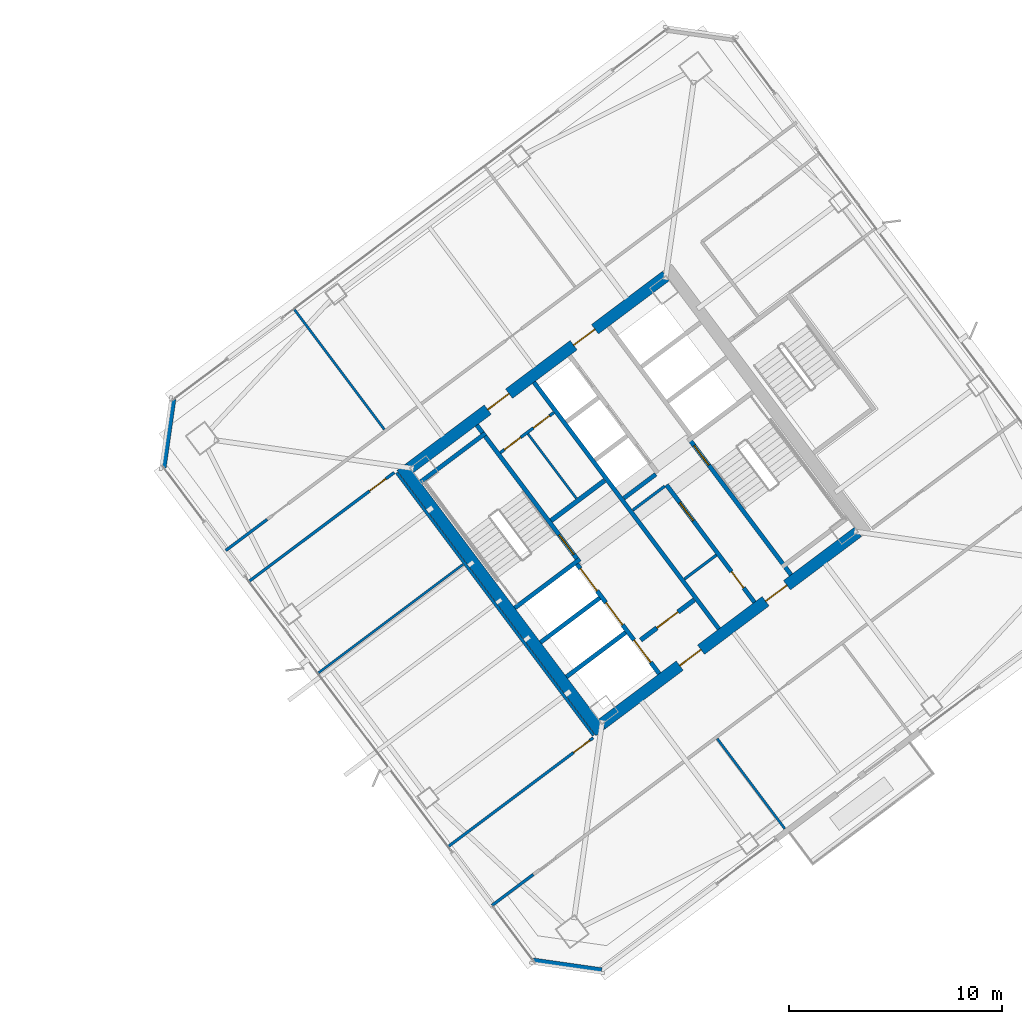
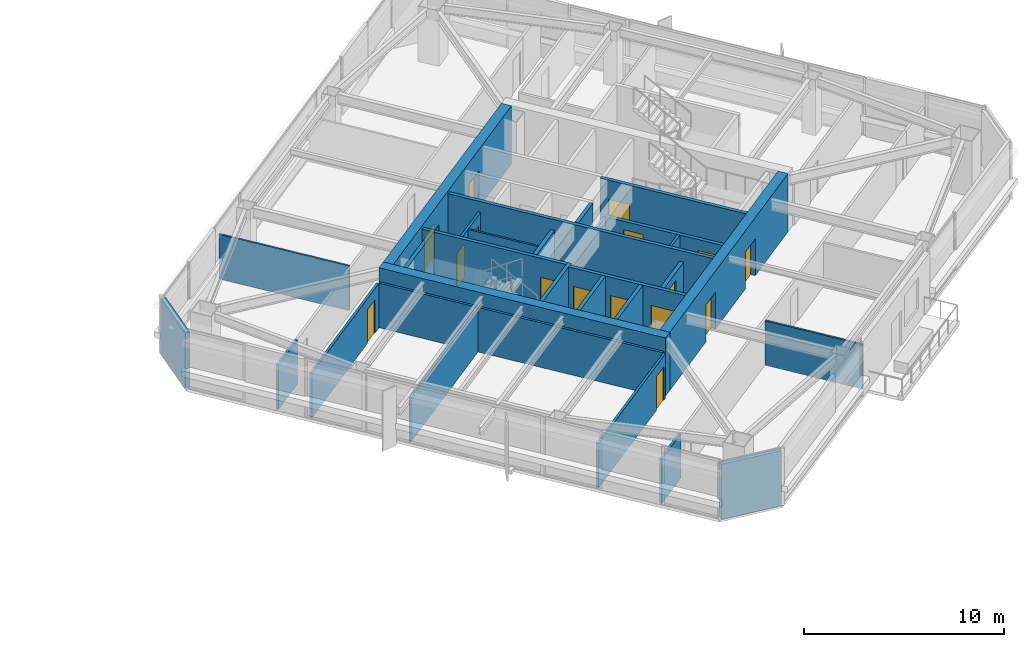
# One storey, part 38 of 46: 29 walls, 16 doors, 16 openings.
"""IFC4 building model written with IfcOpenShell, lengths in metres."""

from ifc_helpers import new_model, si_unit, direction, frame, frame_2d, origin, place, context, subcontext, project, spatial, rectangle, extrude, material, layer, layer_set, type_object, element, fill, save


model = new_model("IFC4")

# Units and contexts
model_context = context("Model", 3, precision=1e-05, world=origin(), true_north=direction((0.0, 1.0)))
body_context = subcontext(model_context, "Body", "Model", "MODEL_VIEW")
ifc_project = project(units=[si_unit("LENGTHUNIT", "METRE"), si_unit("AREAUNIT", "SQUARE_METRE"), si_unit("VOLUMEUNIT", "CUBIC_METRE"), si_unit("PLANEANGLEUNIT", "RADIAN"), si_unit("MASSUNIT", "GRAM", prefix="KILO")], contexts=[model_context])

# Site, building, storey
site_placement = place(None, origin())
site = spatial("IfcSite", under=ifc_project, at=site_placement, CompositionType="ELEMENT")
building_placement = place(site_placement, origin())
building = spatial("IfcBuilding", under=site, at=building_placement, Name="Tashvorn Skyway Center", CompositionType="ELEMENT")
storey_placement = place(building_placement, frame((0.0, 0.0, 167.64990234375)))
storey = spatial("IfcBuildingStorey", under=building, at=storey_placement, Name="L45", CompositionType="ELEMENT", Elevation=167.64990234375)

# Wall
ifc_material_1 = material(Name="Concrete C60/75", Category="concrete")
ifc_layer_1 = layer(ifc_material_1, 0.550048828125)
ifc_layer_set_1 = layer_set([ifc_layer_1], Name="Concrete C60/75")
wall_type_1 = type_object("IfcWallType", Name="WALL-CORE-550", PredefinedType="SHEAR", material=ifc_layer_set_1)
wall_1_placement = place(storey_placement, frame((112.43603515625, 21.076904296875, 0.0), z_axis=(0.0, 0.0, 1.0), x_axis=(-0.600005007985, 0.799996243986, 0.0)))
element("IfcWall", 1, at=wall_1_placement, inside=storey, type_object=wall_type_1, Name="Tower 2 L45 West Core Shear Wall", PredefinedType="SHEAR", context=body_context, shape_type="SweptSolid", body=[
    extrude(rectangle(XDim=15.60009765625, YDim=0.550048828125, at=frame_2d((7.800048828125, 0.0))), origin(), (0.0, 0.0, 1.0), 3.550048828125),
])

# Wall, openings, doors
wall_2_placement = place(storey_placement, frame((124.5390625, 30.498046875, 0.0), z_axis=(0.0, 0.0, 1.0), x_axis=(-0.799998054672, -0.600002593761, 0.0)))
wall_2 = element("IfcWall", 2, at=wall_2_placement, inside=storey, type_object=wall_type_1, Name="Tower 2 L45 South Core Shear Wall", PredefinedType="SHEAR", context=body_context, shape_type="SweptSolid", body=[
    extrude(rectangle(XDim=15.06005859375, YDim=0.550048828125, at=frame_2d((7.530029296875, 0.0))), origin(), (0.0, 0.0, 1.0), 3.550048828125),
])
opening_1_placement = place(wall_2_placement, frame((9.22998046875, 0.0, 0.0)))
opening_1 = element("IfcOpeningElement", 3, at=opening_1_placement, cuts=wall_2, Name="Opening D-FFL-1250", PredefinedType="OPENING", context=body_context, shape_type="SweptSolid", body=[
    extrude(rectangle(XDim=1.25, YDim=2.25, at=frame_2d((0.625, 1.125))), frame((0.0, 0.284912109375, 0.0), z_axis=(0.0, -1.0, 0.0), x_axis=(1.0, 0.0, 0.0)), (0.0, 0.0, 1.0), 0.570068359375),
])
opening_2_placement = place(wall_2_placement, frame((4.179931640625, 0.0, 0.0)))
opening_2 = element("IfcOpeningElement", 4, at=opening_2_placement, cuts=wall_2, Name="Opening D-FFL-1250", PredefinedType="OPENING", context=body_context, shape_type="SweptSolid", body=[
    extrude(rectangle(XDim=1.25, YDim=2.25, at=frame_2d((0.625, 1.125))), frame((0.0, 0.284912109375, 0.0), z_axis=(0.0, -1.0, 0.0), x_axis=(1.0, 0.0, 0.0)), (0.0, 0.0, 1.0), 0.570068359375),
])
ifc_material_2 = material(Name="Hollow galvanized steel fire door assembly", Category="steel")
door_type_1 = type_object("IfcDoorType", Name="DOOR-FFL-1250", OperationType="NOTDEFINED", PredefinedType="DOOR", material=ifc_material_2)
door_1_placement = place(opening_1_placement, origin())
door_1 = element("IfcDoor", 5, at=door_1_placement, inside=storey, type_object=door_type_1, Name="Tower 2 L45 Core South Firefighting Exit Door", OperationType="SINGLE_SWING_LEFT", OverallHeight=2.25, OverallWidth=1.25, PredefinedType="DOOR", context=body_context, shape_type="SweptSolid", body=[
    extrude(rectangle(XDim=1.25, YDim=2.25, at=frame_2d((0.625, 1.125))), frame((0.0, 0.02490234375, 0.0), z_axis=(0.0, -1.0, 0.0), x_axis=(1.0, 0.0, 0.0)), (0.0, 0.0, 1.0), 0.050048828125),
])
fill(opening_1, door_1)
door_2_placement = place(opening_2_placement, origin())
door_2 = element("IfcDoor", 6, at=door_2_placement, inside=storey, type_object=door_type_1, Name="Tower 2 L45 Core South Lift Lobby Door", OperationType="SINGLE_SWING_RIGHT", OverallHeight=2.25, OverallWidth=1.25, PredefinedType="DOOR", context=body_context, shape_type="SweptSolid", body=[
    extrude(rectangle(XDim=1.25, YDim=2.25, at=frame_2d((0.625, 1.125))), frame((0.0, 0.02490234375, 0.0), z_axis=(0.0, -1.0, 0.0), x_axis=(1.0, 0.0, 0.0)), (0.0, 0.0, 1.0), 0.050048828125),
])
fill(opening_2, door_2)

wall_3_placement = place(storey_placement, frame((103.4609375, 33.501953125, 0.0), z_axis=(0.0, 0.0, 1.0), x_axis=(0.799998054672, 0.600002593761, 0.0)))
wall_3 = element("IfcWall", 7, at=wall_3_placement, inside=storey, type_object=wall_type_1, Name="Tower 2 L45 North Core Shear Wall", PredefinedType="SHEAR", context=body_context, shape_type="SweptSolid", body=[
    extrude(rectangle(XDim=15.06005859375, YDim=0.550048828125, at=frame_2d((7.530029296875, 0.0))), origin(), (0.0, 0.0, 1.0), 3.550048828125),
])
opening_3_placement = place(wall_3_placement, frame((4.580078125, 0.0, 0.0)))
opening_3 = element("IfcOpeningElement", 8, at=opening_3_placement, cuts=wall_3, Name="Opening D-FFL-1250", PredefinedType="OPENING", context=body_context, shape_type="SweptSolid", body=[
    extrude(rectangle(XDim=1.25, YDim=2.25, at=frame_2d((0.625, 1.125))), frame((0.0, 0.284912109375, 0.0), z_axis=(0.0, -1.0, 0.0), x_axis=(1.0, 0.0, 0.0)), (0.0, 0.0, 1.0), 0.570068359375),
])
opening_4_placement = place(wall_3_placement, frame((9.6298828125, 0.0, 0.0)))
opening_4 = element("IfcOpeningElement", 9, at=opening_4_placement, cuts=wall_3, Name="Opening D-FFL-1250", PredefinedType="OPENING", context=body_context, shape_type="SweptSolid", body=[
    extrude(rectangle(XDim=1.25, YDim=2.25, at=frame_2d((0.625, 1.125))), frame((0.0, 0.284912109375, 0.0), z_axis=(0.0, -1.0, 0.0), x_axis=(1.0, 0.0, 0.0)), (0.0, 0.0, 1.0), 0.570068359375),
])
door_3_placement = place(opening_3_placement, origin())
door_3 = element("IfcDoor", 10, at=door_3_placement, inside=storey, type_object=door_type_1, Name="Tower 2 L45 Core North Service Lobby Door", OperationType="SINGLE_SWING_LEFT", OverallHeight=2.25, OverallWidth=1.25, PredefinedType="DOOR", context=body_context, shape_type="SweptSolid", body=[
    extrude(rectangle(XDim=1.25, YDim=2.25, at=frame_2d((0.625, 1.125))), frame((0.0, 0.02490234375, 0.0), z_axis=(0.0, -1.0, 0.0), x_axis=(1.0, 0.0, 0.0)), (0.0, 0.0, 1.0), 0.050048828125),
])
fill(opening_3, door_3)
door_4_placement = place(opening_4_placement, origin())
door_4 = element("IfcDoor", 11, at=door_4_placement, inside=storey, type_object=door_type_1, Name="Tower 2 L45 Core North Lift Lobby Door", OperationType="SINGLE_SWING_RIGHT", OverallHeight=2.25, OverallWidth=1.25, PredefinedType="DOOR", context=body_context, shape_type="SweptSolid", body=[
    extrude(rectangle(XDim=1.25, YDim=2.25, at=frame_2d((0.625, 1.125))), frame((0.0, 0.02490234375, 0.0), z_axis=(0.0, -1.0, 0.0), x_axis=(1.0, 0.0, 0.0)), (0.0, 0.0, 1.0), 0.050048828125),
])
fill(opening_4, door_4)

# Walls
ifc_material_3 = material(Name="Precast concrete C40/50", Category="concrete")
ifc_layer_2 = layer(ifc_material_3, 0.280029296875)
ifc_layer_set_2 = layer_set([ifc_layer_2], Name="Precast concrete C40/50")
wall_type_2 = type_object("IfcWallType", Name="WALL-EXT-280", PredefinedType="SOLIDWALL", material=ifc_layer_set_2)
for number, where, z_axis, x_axis, name in (
    (12, (112.47998046875, 9.860107421875, 0.0), (0.0, 0.0, 1.0), (-0.989950994782, 0.141410847992, 0.0), "Tower 2 L45 SW Precast Chamfer Wall"),
    (13, (91.860107421875, 33.52001953125, 0.0), (0.0, 0.0, 1.0), (0.141410847992, 0.989950994782, 0.0), "Tower 2 L45 NW Precast Chamfer Wall"),
):
    element("IfcWall", number, at=place(storey_placement, frame(where, z_axis=z_axis, x_axis=x_axis)), inside=storey, type_object=wall_type_2, Name=name, PredefinedType="SOLIDWALL", context=body_context, shape_type="SweptSolid", body=[
        extrude(rectangle(XDim=3.252685546875, YDim=0.280029296875, at=frame_2d((1.62646484375, 0.0))), origin(), (0.0, 0.0, 1.0), 3.3701171875),
    ])
ifc_material_4 = material(Name="Concrete C40/50", Category="concrete")
ifc_layer_3 = layer(ifc_material_4, 0.219970703125)
ifc_layer_set_3 = layer_set([ifc_layer_3], Name="Concrete C40/50")
wall_type_3 = type_object("IfcWallType", Name="WALL-FFL-220", PredefinedType="SOLIDWALL", material=ifc_layer_set_3)
wall_4_placement = place(storey_placement, frame((110.10400390625, 31.028076171875, 0.0), z_axis=(0.0, 0.0, 1.0), x_axis=(0.800018601094, 0.59997519774, 0.0)))
element("IfcWall", 14, at=wall_4_placement, inside=storey, type_object=wall_type_3, Name="Tower 2 L45 Firefighting Lobby North Wall", PredefinedType="SOLIDWALL", context=body_context, shape_type="SweptSolid", body=[
    extrude(rectangle(XDim=3.14990234375, YDim=0.219970703125, at=frame_2d((1.574951171875, 0.0))), origin(), (0.0, 0.0, 1.0), 2.72314453125),
])

# Wall, opening, door
wall_5_placement = place(storey_placement, frame((114.31591796875, 25.412109375, 0.0), z_axis=(0.0, 0.0, 1.0), x_axis=(0.800018601094, 0.59997519774, 0.0)))
wall_5 = element("IfcWall", 15, at=wall_5_placement, inside=storey, type_object=wall_type_3, Name="Tower 2 L45 Firefighting Lobby South Wall", PredefinedType="SOLIDWALL", context=body_context, shape_type="SweptSolid", body=[
    extrude(rectangle(XDim=3.14990234375, YDim=0.219970703125, at=frame_2d((1.574951171875, 0.0))), origin(), (0.0, 0.0, 1.0), 2.72314453125),
])
opening_5_placement = place(wall_5_placement, frame((0.949951171875, 0.0, 0.0)))
opening_5 = element("IfcOpeningElement", 16, at=opening_5_placement, cuts=wall_5, Name="Opening D-FFL-1250", PredefinedType="OPENING", context=body_context, shape_type="SweptSolid", body=[
    extrude(rectangle(XDim=1.25, YDim=2.25, at=frame_2d((0.625, 1.125))), frame((0.0, 0.119873046875, 0.0), z_axis=(0.0, -1.0, 0.0), x_axis=(1.0, 0.0, 0.0)), (0.0, 0.0, 1.0), 0.239990234375),
])
door_5_placement = place(opening_5_placement, origin())
door_5 = element("IfcDoor", 17, at=door_5_placement, inside=storey, type_object=door_type_1, Name="Tower 2 L45 Firefighting Lobby Egress Door", OperationType="SINGLE_SWING_LEFT", OverallHeight=2.25, OverallWidth=1.25, PredefinedType="DOOR", context=body_context, shape_type="SweptSolid", body=[
    extrude(rectangle(XDim=1.25, YDim=2.25, at=frame_2d((0.625, 1.125))), frame((0.0, 0.02490234375, 0.0), z_axis=(0.0, -1.0, 0.0), x_axis=(1.0, 0.0, 0.0)), (0.0, 0.0, 1.0), 0.050048828125),
])
fill(opening_5, door_5)

# Walls
ifc_material_5 = material(Name="Gypsum board on cold-formed steel stud framing", Category="steel")
ifc_layer_4 = layer(ifc_material_5, 0.110107421875)
ifc_layer_set_4 = layer_set([ifc_layer_4], Name="Gypsum board on cold-formed steel stud framing")
wall_type_4 = type_object("IfcWallType", Name="WALL-PART-110", PredefinedType="PARTITIONING", material=ifc_layer_set_4)
wall_6_placement = place(storey_placement, frame((102.260009765625, 35.320068359375, 0.0), z_axis=(0.0, 0.0, 1.0), x_axis=(-0.600016552052, 0.799987585693, 0.0)))
element("IfcWall", 18, at=wall_6_placement, inside=storey, type_object=wall_type_4, Name="Tower 2 L45 North Suite Partition 1", PredefinedType="PARTITIONING", context=body_context, shape_type="SweptSolid", body=[
    extrude(rectangle(XDim=7.079833984375, YDim=0.110107421875, at=frame_2d((3.5400390625, 0.0))), origin(), (0.0, 0.0, 1.0), 2.72314453125),
])
wall_7_placement = place(storey_placement, frame((121.097900390625, 16.535888671875, 0.0), z_axis=(0.0, 0.0, 1.0), x_axis=(-0.599992629624, 0.800005527729, 0.0)))
element("IfcWall", 19, at=wall_7_placement, inside=storey, type_object=wall_type_4, Name="Tower 2 L45 South Suite Partition 1", PredefinedType="PARTITIONING", context=body_context, shape_type="SweptSolid", body=[
    extrude(rectangle(XDim=5.300048828125, YDim=0.110107421875, at=frame_2d((2.64990234375, 0.0))), origin(), (0.0, 0.0, 1.0), 2.72314453125),
])
wall_8_placement = place(storey_placement, frame((99.135986328125, 23.85205078125, 0.0), z_axis=(0.0, 0.0, 1.0), x_axis=(0.8, 0.6, 0.0)))
element("IfcWall", 20, at=wall_8_placement, inside=storey, type_object=wall_type_4, Name="Tower 2 L45 West Mid Partition", PredefinedType="PARTITIONING", context=body_context, shape_type="SweptSolid", body=[
    extrude(rectangle(XDim=8.5400390625, YDim=0.110107421875, at=frame_2d((4.27001953125, 0.0))), origin(), (0.0, 0.0, 1.0), 2.72314453125),
])
ifc_layer_5 = layer(ifc_material_5, 0.135009765625)
ifc_layer_set_5 = layer_set([ifc_layer_5], Name="Gypsum board on cold-formed steel stud framing")
wall_type_5 = type_object("IfcWallType", Name="WALL-PART-135", PredefinedType="PARTITIONING", material=ifc_layer_set_5)
for number, where, z_axis, x_axis, name in (
    (21, (94.803955078125, 29.6279296875, 0.0), (0.0, 0.0, 1.0), (0.800012055778, 0.599983925293, 0.0), "Tower 2 L45 North-West Suite South Wall"),
    (22, (107.325927734375, 12.931884765625, 0.0), (0.0, 0.0, 1.0), (0.800012055778, 0.599983925293, 0.0), "Tower 2 L45 South-West Suite North Wall"),
):
    element("IfcWall", number, at=place(storey_placement, frame(where, z_axis=z_axis, x_axis=x_axis)), inside=storey, type_object=wall_type_5, Name=name, PredefinedType="PARTITIONING", context=body_context, shape_type="SweptSolid", body=[
        extrude(rectangle(XDim=2.43017578125, YDim=0.135009765625, at=frame_2d((1.215087890625, 0.0))), origin(), (0.0, 0.0, 1.0), 2.72314453125),
    ])
wall_9_placement = place(storey_placement, frame((112.10400390625, 20.927978515625, 0.0), z_axis=(0.0, 0.0, 1.0), x_axis=(-0.599994940075, 0.800003794918, 0.0)))
element("IfcWall", 23, at=wall_9_placement, inside=storey, type_object=wall_type_5, Name="Tower 2 L45 West Inner Suite Wall", PredefinedType="PARTITIONING", context=body_context, shape_type="SweptSolid", body=[
    extrude(rectangle(XDim=15.43994140625, YDim=0.135009765625, at=frame_2d((7.719970703125, 0.0))), origin(), (0.0, 0.0, 1.0), 2.72314453125),
])

# Wall, opening, door
wall_10_placement = place(storey_placement, frame((102.72802734375, 33.2958984375, 0.0), z_axis=(0.0, 0.0, 1.0), x_axis=(-0.800013722153, -0.59998170336, 0.0)))
wall_10 = element("IfcWall", 24, at=wall_10_placement, inside=storey, type_object=wall_type_5, Name="Tower 2 L45 West Suite North Wall", PredefinedType="PARTITIONING", context=body_context, shape_type="SweptSolid", body=[
    extrude(rectangle(XDim=8.539794921875, YDim=0.135009765625, at=frame_2d((4.27001953125, 0.0))), origin(), (0.0, 0.0, 1.0), 2.72314453125),
])
opening_6_placement = place(wall_10_placement, frame((0.5, 0.0, 0.0)))
opening_6 = element("IfcOpeningElement", 25, at=opening_6_placement, cuts=wall_10, Name="Opening D-INT-950", PredefinedType="OPENING", context=body_context, shape_type="SweptSolid", body=[
    extrude(rectangle(XDim=0.949951171875, YDim=2.050048828125, at=frame_2d((0.47509765625, 1.02490234375))), frame((0.0, 0.077392578125, 0.0), z_axis=(0.0, -1.0, 0.0), x_axis=(1.0, 0.0, 0.0)), (0.0, 0.0, 1.0), 0.155029296875),
])
ifc_material_6 = material(Name="Solid-core architectural oak veneer door")
door_type_2 = type_object("IfcDoorType", Name="DOOR-INT-950", OperationType="NOTDEFINED", PredefinedType="DOOR", material=ifc_material_6)
door_6_placement = place(opening_6_placement, origin())
door_6 = element("IfcDoor", 26, at=door_6_placement, inside=storey, type_object=door_type_2, Name="Tower 2 L45 Staff Fitness Club Door", OperationType="SINGLE_SWING_LEFT", OverallHeight=2.050048828125, OverallWidth=0.949951171875, PredefinedType="DOOR", context=body_context, shape_type="SweptSolid", body=[
    extrude(rectangle(XDim=0.949951171875, YDim=2.050048828125, at=frame_2d((0.47509765625, 1.02490234375))), frame((0.0, 0.02490234375, 0.0), z_axis=(0.0, -1.0, 0.0), x_axis=(1.0, 0.0, 0.0)), (0.0, 0.0, 1.0), 0.050048828125),
])
fill(opening_6, door_6)

wall_11_placement = place(storey_placement, frame((105.256103515625, 15.69189453125, 0.0), z_axis=(0.0, 0.0, 1.0), x_axis=(0.799989708052, 0.600013722352, 0.0)))
wall_11 = element("IfcWall", 27, at=wall_11_placement, inside=storey, type_object=wall_type_5, Name="Tower 2 L45 West Suite South Wall", PredefinedType="PARTITIONING", context=body_context, shape_type="SweptSolid", body=[
    extrude(rectangle(XDim=8.539794921875, YDim=0.135009765625, at=frame_2d((4.27001953125, 0.0))), origin(), (0.0, 0.0, 1.0), 2.72314453125),
])
opening_7_placement = place(wall_11_placement, frame((7.3798828125, 0.0, 0.0)))
opening_7 = element("IfcOpeningElement", 28, at=opening_7_placement, cuts=wall_11, Name="Opening D-INT-950", PredefinedType="OPENING", context=body_context, shape_type="SweptSolid", body=[
    extrude(rectangle(XDim=0.949951171875, YDim=2.050048828125, at=frame_2d((0.47509765625, 1.02490234375))), frame((0.0, 0.077392578125, 0.0), z_axis=(0.0, -1.0, 0.0), x_axis=(1.0, 0.0, 0.0)), (0.0, 0.0, 1.0), 0.155029296875),
])
door_7_placement = place(opening_7_placement, origin())
door_7 = element("IfcDoor", 29, at=door_7_placement, inside=storey, type_object=door_type_2, Name="Tower 2 L45 Public Restroom Door", OperationType="SINGLE_SWING_RIGHT", OverallHeight=2.050048828125, OverallWidth=0.949951171875, PredefinedType="DOOR", context=body_context, shape_type="SweptSolid", body=[
    extrude(rectangle(XDim=0.949951171875, YDim=2.050048828125, at=frame_2d((0.47509765625, 1.02490234375))), frame((0.0, 0.02490234375, 0.0), z_axis=(0.0, -1.0, 0.0), x_axis=(1.0, 0.0, 0.0)), (0.0, 0.0, 1.0), 0.050048828125),
])
fill(opening_7, door_7)

# Wall
ifc_layer_6 = layer(ifc_material_5, 0.110107421875)
ifc_layer_set_6 = layer_set([ifc_layer_6], Name="Gypsum board on cold-formed steel stud framing")
wall_type_6 = type_object("IfcWallType", Name="WALL-RATED-110", PredefinedType="PARTITIONING", material=ifc_layer_set_6)
wall_12_placement = place(storey_placement, frame((111.2958984375, 32.072021484375, 0.0), z_axis=(0.0, 0.0, 1.0), x_axis=(-0.59995887973, 0.800030838552, 0.0)))
element("IfcWall", 30, at=wall_12_placement, inside=storey, type_object=wall_type_6, Name="Tower 2 L45 Core Split Partition", PredefinedType="PARTITIONING", context=body_context, shape_type="SweptSolid", body=[
    extrude(rectangle(XDim=3.7998046875, YDim=0.110107421875, at=frame_2d((1.89990234375, 0.0))), origin(), (0.0, 0.0, 1.0), 2.72314453125),
])

# Wall, openings, doors
ifc_layer_7 = layer(ifc_material_5, 0.135009765625)
ifc_layer_set_7 = layer_set([ifc_layer_7], Name="Gypsum board on cold-formed steel stud framing")
wall_type_7 = type_object("IfcWallType", Name="WALL-RATED-135", PredefinedType="PARTITIONING", material=ifc_layer_set_7)
wall_13_placement = place(storey_placement, frame((107.7099609375, 34.219970703125, 0.0), z_axis=(0.0, 0.0, 1.0), x_axis=(0.799981399002, 0.60002480053, 0.0)))
wall_13 = element("IfcWall", 31, at=wall_13_placement, inside=storey, type_object=wall_type_7, Name="Tower 2 L45 Core Service Lobby Wall", PredefinedType="PARTITIONING", context=body_context, shape_type="SweptSolid", body=[
    extrude(rectangle(XDim=3.150146484375, YDim=0.135009765625, at=frame_2d((1.5751953125, 0.0))), origin(), (0.0, 0.0, 1.0), 2.72314453125),
])
opening_8_placement = place(wall_13_placement, frame((0.25, 0.0, 0.0)))
opening_8 = element("IfcOpeningElement", 32, at=opening_8_placement, cuts=wall_13, Name="Opening D-RT-950", PredefinedType="OPENING", context=body_context, shape_type="SweptSolid", body=[
    extrude(rectangle(XDim=0.949951171875, YDim=2.050048828125, at=frame_2d((0.47509765625, 1.02490234375))), frame((0.0, 0.077392578125, 0.0), z_axis=(0.0, -1.0, 0.0), x_axis=(1.0, 0.0, 0.0)), (0.0, 0.0, 1.0), 0.155029296875),
])
opening_9_placement = place(wall_13_placement, frame((1.949951171875, 0.0, 0.0)))
opening_9 = element("IfcOpeningElement", 33, at=opening_9_placement, cuts=wall_13, Name="Opening D-RT-950", PredefinedType="OPENING", context=body_context, shape_type="SweptSolid", body=[
    extrude(rectangle(XDim=0.949951171875, YDim=2.050048828125, at=frame_2d((0.47509765625, 1.02490234375))), frame((0.0, 0.077392578125, 0.0), z_axis=(0.0, -1.0, 0.0), x_axis=(1.0, 0.0, 0.0)), (0.0, 0.0, 1.0), 0.155029296875),
])
door_type_3 = type_object("IfcDoorType", Name="DOOR-RATED-950", OperationType="NOTDEFINED", PredefinedType="DOOR", material=ifc_material_2)
door_8_placement = place(opening_8_placement, origin())
door_8 = element("IfcDoor", 34, at=door_8_placement, inside=storey, type_object=door_type_3, Name="Tower 2 L45 Core Accessible WC Door", OperationType="SINGLE_SWING_LEFT", OverallHeight=2.050048828125, OverallWidth=0.949951171875, PredefinedType="DOOR", context=body_context, shape_type="SweptSolid", body=[
    extrude(rectangle(XDim=0.949951171875, YDim=2.050048828125, at=frame_2d((0.47509765625, 1.02490234375))), frame((0.0, 0.02490234375, 0.0), z_axis=(0.0, -1.0, 0.0), x_axis=(1.0, 0.0, 0.0)), (0.0, 0.0, 1.0), 0.050048828125),
])
fill(opening_8, door_8)
door_9_placement = place(opening_9_placement, origin())
door_9 = element("IfcDoor", 35, at=door_9_placement, inside=storey, type_object=door_type_3, Name="Tower 2 L45 Core Cleaner Store Door", OperationType="SINGLE_SWING_RIGHT", OverallHeight=2.050048828125, OverallWidth=0.949951171875, PredefinedType="DOOR", context=body_context, shape_type="SweptSolid", body=[
    extrude(rectangle(XDim=0.949951171875, YDim=2.050048828125, at=frame_2d((0.47509765625, 1.02490234375))), frame((0.0, 0.02490234375, 0.0), z_axis=(0.0, -1.0, 0.0), x_axis=(1.0, 0.0, 0.0)), (0.0, 0.0, 1.0), 0.050048828125),
])
fill(opening_9, door_9)

# Walls
for number, where, z_axis, x_axis, name in (
    (36, (113.946044921875, 31.52197265625, 0.0), (0.0, 0.0, 1.0), (0.8, 0.6, 0.0), "Tower 2 L45 Core Room Partition"),
    (37, (116.3759765625, 28.281982421875, 0.0), (0.0, 0.0, 1.0), (0.8, 0.6, 0.0), "Tower 2 L45 Freed Core Partition"),
):
    element("IfcWall", number, at=place(storey_placement, frame(where, z_axis=z_axis, x_axis=x_axis)), inside=storey, type_object=wall_type_7, Name=name, PredefinedType="PARTITIONING", context=body_context, shape_type="SweptSolid", body=[
        extrude(rectangle(XDim=1.8798828125, YDim=0.135009765625, at=frame_2d((0.93994140625, 0.0))), origin(), (0.0, 0.0, 1.0), 2.72314453125),
    ])
ifc_layer_8 = layer(ifc_material_4, 0.199951171875)
ifc_layer_set_8 = layer_set([ifc_layer_8], Name="Concrete C40/50")
wall_type_8 = type_object("IfcWallType", Name="WALL-SHAFT-200", PredefinedType="SOLIDWALL", material=ifc_layer_set_8)
for number, where, z_axis, x_axis, name in (
    (38, (110.825927734375, 23.681884765625, 0.0), (0.0, 0.0, 1.0), (0.8, 0.6, 0.0), "Tower 2 L45 FSAE Shaft Divider"),
    (39, (109.60791015625, 25.305908203125, 0.0), (0.0, 0.0, 1.0), (0.8, 0.6, 0.0), "Tower 2 L45 FSAE Shaft Divider"),
):
    element("IfcWall", number, at=place(storey_placement, frame(where, z_axis=z_axis, x_axis=x_axis)), inside=storey, type_object=wall_type_8, Name=name, PredefinedType="SOLIDWALL", context=body_context, shape_type="SweptSolid", body=[
        extrude(rectangle(XDim=3.480224609375, YDim=0.199951171875, at=frame_2d((1.740234375, 0.0))), origin(), (0.0, 0.0, 1.0), 3.3701171875),
    ])

# Wall, openings, doors
wall_14_placement = place(storey_placement, frame((119.669921875, 27.18994140625, 0.0), z_axis=(0.0, 0.0, 1.0), x_axis=(-0.599988677396, 0.800008491828, 0.0)))
wall_14 = element("IfcWall", 40, at=wall_14_placement, inside=storey, type_object=wall_type_8, Name="Tower 2 L45 Low-Rise Core Wall", PredefinedType="SOLIDWALL", context=body_context, shape_type="SweptSolid", body=[
    extrude(rectangle(XDim=6.89990234375, YDim=0.199951171875, at=frame_2d((3.449951171875, 0.0))), origin(), (0.0, 0.0, 1.0), 2.72314453125),
])
opening_10_placement = place(wall_14_placement, frame((0.85009765625, 0.0, 0.0)))
opening_10 = element("IfcOpeningElement", 41, at=opening_10_placement, cuts=wall_14, Name="Opening D-RT-950", PredefinedType="OPENING", context=body_context, shape_type="SweptSolid", body=[
    extrude(rectangle(XDim=0.949951171875, YDim=2.050048828125, at=frame_2d((0.47509765625, 1.02490234375))), frame((0.0, 0.10986328125, 0.0), z_axis=(0.0, -1.0, 0.0), x_axis=(1.0, 0.0, 0.0)), (0.0, 0.0, 1.0), 0.219970703125),
])
opening_11_placement = place(wall_14_placement, frame((4.800048828125, 0.0, 0.0)))
opening_11 = element("IfcOpeningElement", 42, at=opening_11_placement, cuts=wall_14, Name="Opening D-RT-1050", PredefinedType="OPENING", context=body_context, shape_type="SweptSolid", body=[
    extrude(rectangle(XDim=1.050048828125, YDim=2.199951171875, at=frame_2d((0.52490234375, 1.10009765625))), frame((0.0, 0.10986328125, 0.0), z_axis=(0.0, -1.0, 0.0), x_axis=(1.0, 0.0, 0.0)), (0.0, 0.0, 1.0), 0.219970703125),
])
door_type_4 = type_object("IfcDoorType", Name="DOOR-RATED-1050", OperationType="NOTDEFINED", PredefinedType="DOOR", material=ifc_material_2)
door_10_placement = place(opening_11_placement, origin())
door_10 = element("IfcDoor", 43, at=door_10_placement, inside=storey, type_object=door_type_4, Name="Tower 2 L45 Freed Core Room Door", OperationType="SINGLE_SWING_RIGHT", OverallHeight=2.199951171875, OverallWidth=1.050048828125, PredefinedType="DOOR", context=body_context, shape_type="SweptSolid", body=[
    extrude(rectangle(XDim=1.050048828125, YDim=2.199951171875, at=frame_2d((0.52490234375, 1.10009765625))), frame((0.0, 0.02490234375, 0.0), z_axis=(0.0, -1.0, 0.0), x_axis=(1.0, 0.0, 0.0)), (0.0, 0.0, 1.0), 0.050048828125),
])
fill(opening_11, door_10)
door_11_placement = place(opening_10_placement, origin())
door_11 = element("IfcDoor", 44, at=door_11_placement, inside=storey, type_object=door_type_3, Name="Tower 2 L45 Core Print Room Door", OperationType="SINGLE_SWING_LEFT", OverallHeight=2.050048828125, OverallWidth=0.949951171875, PredefinedType="DOOR", context=body_context, shape_type="SweptSolid", body=[
    extrude(rectangle(XDim=0.949951171875, YDim=2.050048828125, at=frame_2d((0.47509765625, 1.02490234375))), frame((0.0, 0.02490234375, 0.0), z_axis=(0.0, -1.0, 0.0), x_axis=(1.0, 0.0, 0.0)), (0.0, 0.0, 1.0), 0.050048828125),
])
fill(opening_10, door_11)

# Wall
wall_15_placement = place(storey_placement, frame((113.52587890625, 32.08203125, 0.0), z_axis=(0.0, 0.0, 1.0), x_axis=(0.800046745961, 0.599937666993, 0.0)))
element("IfcWall", 45, at=wall_15_placement, inside=storey, type_object=wall_type_8, Name="Tower 2 L45 Mid-Rise Shaft Divider", PredefinedType="SOLIDWALL", context=body_context, shape_type="SweptSolid", body=[
    extrude(rectangle(XDim=1.880126953125, YDim=0.199951171875, at=frame_2d((0.93994140625, 0.0))), origin(), (0.0, 0.0, 1.0), 3.3701171875),
])

# Wall, opening, door
ifc_layer_9 = layer(ifc_material_4, 0.199951171875)
ifc_layer_set_9 = layer_set([ifc_layer_9], Name="Concrete C40/50")
wall_type_9 = type_object("IfcWallType", Name="WALL-STSHF-200", PredefinedType="SHEAR", material=ifc_layer_set_9)
wall_16_placement = place(storey_placement, frame((111.43994140625, 29.080078125, 0.0), z_axis=(0.0, 0.0, 1.0), x_axis=(-0.59999029481, 0.8000072788, 0.0)))
wall_16 = element("IfcWall", 46, at=wall_16_placement, inside=storey, type_object=wall_type_9, Name="Tower 2 L45 Stair 1 Enclosure Wall", PredefinedType="SHEAR", context=body_context, shape_type="SweptSolid", body=[
    extrude(rectangle(XDim=8.0498046875, YDim=0.199951171875, at=frame_2d((4.02490234375, 0.0))), origin(), (0.0, 0.0, 1.0), 3.3701171875),
])
opening_12_placement = place(wall_16_placement, frame((0.449951171875, 0.0, 0.0)))
opening_12 = element("IfcOpeningElement", 47, at=opening_12_placement, cuts=wall_16, Name="Opening D-ST-1150", PredefinedType="OPENING", context=body_context, shape_type="SweptSolid", body=[
    extrude(rectangle(XDim=1.14990234375, YDim=2.199951171875, at=frame_2d((0.574951171875, 1.10009765625))), frame((0.0, 0.10986328125, 0.0), z_axis=(0.0, -1.0, 0.0), x_axis=(1.0, 0.0, 0.0)), (0.0, 0.0, 1.0), 0.219970703125),
])
door_type_5 = type_object("IfcDoorType", Name="DOOR-STAIR-1150", OperationType="NOTDEFINED", PredefinedType="DOOR", material=ifc_material_2)
door_12_placement = place(opening_12_placement, origin())
door_12 = element("IfcDoor", 48, at=door_12_placement, inside=storey, type_object=door_type_5, Name="Tower 2 L45 Exit Stair 1 Door", OperationType="SINGLE_SWING_RIGHT", OverallHeight=2.199951171875, OverallWidth=1.14990234375, PredefinedType="DOOR", context=body_context, shape_type="SweptSolid", body=[
    extrude(rectangle(XDim=1.14990234375, YDim=2.199951171875, at=frame_2d((0.574951171875, 1.10009765625))), frame((0.0, 0.02490234375, 0.0), z_axis=(0.0, -1.0, 0.0), x_axis=(1.0, 0.0, 0.0)), (0.0, 0.0, 1.0), 0.050048828125),
])
fill(opening_12, door_12)

# Walls
for number, where, z_axis, x_axis, name in (
    (49, (108.39599609375, 26.922119140625, 0.0), (0.0, 0.0, 1.0), (0.800015298837, 0.599979601008, 0.0), "Tower 2 L45 Stair 1 South Wall"),
    (50, (103.9560546875, 32.842041015625, 0.0), (0.0, 0.0, 1.0), (0.800015298837, 0.599979601008, 0.0), "Tower 2 L45 Stair 1 North Wall"),
):
    element("IfcWall", number, at=place(storey_placement, frame(where, z_axis=z_axis, x_axis=x_axis)), inside=storey, type_object=wall_type_9, Name=name, PredefinedType="SHEAR", context=body_context, shape_type="SweptSolid", body=[
        extrude(rectangle(XDim=3.829833984375, YDim=0.199951171875, at=frame_2d((1.9150390625, 0.0))), origin(), (0.0, 0.0, 1.0), 3.3701171875),
    ])

# Wall, opening, door
wall_17_placement = place(storey_placement, frame((116.56005859375, 34.919921875, 0.0), z_axis=(0.0, 0.0, 1.0), x_axis=(0.59999029481, -0.8000072788, 0.0)))
wall_17 = element("IfcWall", 51, at=wall_17_placement, inside=storey, type_object=wall_type_9, Name="Tower 2 L45 Stair 2 Enclosure Wall", PredefinedType="SHEAR", context=body_context, shape_type="SweptSolid", body=[
    extrude(rectangle(XDim=8.0498046875, YDim=0.199951171875, at=frame_2d((4.02490234375, 0.0))), origin(), (0.0, 0.0, 1.0), 3.3701171875),
])
opening_13_placement = place(wall_17_placement, frame((0.449951171875, 0.0, 0.0)))
opening_13 = element("IfcOpeningElement", 52, at=opening_13_placement, cuts=wall_17, Name="Opening D-ST-1150", PredefinedType="OPENING", context=body_context, shape_type="SweptSolid", body=[
    extrude(rectangle(XDim=1.14990234375, YDim=2.199951171875, at=frame_2d((0.574951171875, 1.10009765625))), frame((0.0, 0.10986328125, 0.0), z_axis=(0.0, -1.0, 0.0), x_axis=(1.0, 0.0, 0.0)), (0.0, 0.0, 1.0), 0.219970703125),
])
door_13_placement = place(opening_13_placement, origin())
door_13 = element("IfcDoor", 53, at=door_13_placement, inside=storey, type_object=door_type_5, Name="Tower 2 L45 Exit Stair 2 Door", OperationType="SINGLE_SWING_RIGHT", OverallHeight=2.199951171875, OverallWidth=1.14990234375, PredefinedType="DOOR", context=body_context, shape_type="SweptSolid", body=[
    extrude(rectangle(XDim=1.14990234375, YDim=2.199951171875, at=frame_2d((0.574951171875, 1.10009765625))), frame((0.0, 0.02490234375, 0.0), z_axis=(0.0, -1.0, 0.0), x_axis=(1.0, 0.0, 0.0)), (0.0, 0.0, 1.0), 0.050048828125),
])
fill(opening_13, door_13)

# Wall
wall_18_placement = place(storey_placement, frame((117.998046875, 25.93603515625, 0.0), z_axis=(0.0, 0.0, 1.0), x_axis=(-0.600002693989, 0.799997979501, 0.0)))
element("IfcWall", 54, at=wall_18_placement, inside=storey, type_object=wall_type_9, Name="Tower 2 L45 Firefighting Lobby East Smoke Barrier", PredefinedType="SHEAR", context=body_context, shape_type="SweptSolid", body=[
    extrude(rectangle(XDim=14.499755859375, YDim=0.199951171875, at=frame_2d((7.25, 0.0))), origin(), (0.0, 0.0, 1.0), 3.3701171875),
])

# Wall, openings, doors
wall_19_placement = place(storey_placement, frame((115.18994140625, 23.830078125, 0.0), z_axis=(0.0, 0.0, 1.0), x_axis=(-0.599993943644, 0.800004542231, 0.0)))
wall_19 = element("IfcWall", 55, at=wall_19_placement, inside=storey, type_object=wall_type_9, Name="Tower 2 L45 FSAE and Goods Shaft Front Wall", PredefinedType="SHEAR", context=body_context, shape_type="SweptSolid", body=[
    extrude(rectangle(XDim=6.449951171875, YDim=0.199951171875, at=frame_2d((3.22509765625, 0.0))), origin(), (0.0, 0.0, 1.0), 3.3701171875),
])
opening_14_placement = place(wall_19_placement, frame((4.875, 0.0, 0.0)))
opening_14 = element("IfcOpeningElement", 56, at=opening_14_placement, cuts=wall_19, Name="Opening LD-FF-T2-1-L45", PredefinedType="OPENING", context=body_context, shape_type="SweptSolid", body=[
    extrude(rectangle(XDim=1.300048828125, YDim=2.25, at=frame_2d((0.64990234375, 1.125))), frame((0.0, 0.10986328125, 0.0), z_axis=(0.0, -1.0, 0.0), x_axis=(1.0, 0.0, 0.0)), (0.0, 0.0, 1.0), 0.219970703125),
])
opening_15_placement = place(wall_19_placement, frame((2.875, 0.0, 0.0)))
opening_15 = element("IfcOpeningElement", 57, at=opening_15_placement, cuts=wall_19, Name="Opening LD-FF-T2-2-L45", PredefinedType="OPENING", context=body_context, shape_type="SweptSolid", body=[
    extrude(rectangle(XDim=1.300048828125, YDim=2.25, at=frame_2d((0.64990234375, 1.125))), frame((0.0, 0.10986328125, 0.0), z_axis=(0.0, -1.0, 0.0), x_axis=(1.0, 0.0, 0.0)), (0.0, 0.0, 1.0), 0.219970703125),
])
opening_16_placement = place(wall_19_placement, frame((0.675048828125, 0.0, 0.0)))
opening_16 = element("IfcOpeningElement", 58, at=opening_16_placement, cuts=wall_19, Name="Opening LD-GD-T2-1-L45", PredefinedType="OPENING", context=body_context, shape_type="SweptSolid", body=[
    extrude(rectangle(XDim=1.300048828125, YDim=2.25, at=frame_2d((0.64990234375, 1.125))), frame((0.0, 0.10986328125, 0.0), z_axis=(0.0, -1.0, 0.0), x_axis=(1.0, 0.0, 0.0)), (0.0, 0.0, 1.0), 0.219970703125),
])
ifc_material_7 = material(Name="Stainless steel heavy-duty landing door", Category="steel")
door_type_6 = type_object("IfcDoorType", Name="DOOR-LIFT-1300", OperationType="SLIDING_TO_LEFT", PredefinedType="DOOR", material=ifc_material_7)
door_14_placement = place(opening_14_placement, origin())
door_14 = element("IfcDoor", 59, at=door_14_placement, inside=storey, type_object=door_type_6, Name="Lift FF-T2-1 L45 Landing Door", OperationType="SLIDING_TO_LEFT", OverallHeight=2.25, OverallWidth=1.300048828125, PredefinedType="DOOR", context=body_context, shape_type="SweptSolid", body=[
    extrude(rectangle(XDim=1.300048828125, YDim=2.25, at=frame_2d((0.64990234375, 1.125))), frame((0.0, 0.02490234375, 0.0), z_axis=(0.0, -1.0, 0.0), x_axis=(1.0, 0.0, 0.0)), (0.0, 0.0, 1.0), 0.050048828125),
])
fill(opening_14, door_14)
door_15_placement = place(opening_15_placement, origin())
door_15 = element("IfcDoor", 60, at=door_15_placement, inside=storey, type_object=door_type_6, Name="Lift FF-T2-2 L45 Landing Door", OperationType="SLIDING_TO_LEFT", OverallHeight=2.25, OverallWidth=1.300048828125, PredefinedType="DOOR", context=body_context, shape_type="SweptSolid", body=[
    extrude(rectangle(XDim=1.300048828125, YDim=2.25, at=frame_2d((0.64990234375, 1.125))), frame((0.0, 0.02490234375, 0.0), z_axis=(0.0, -1.0, 0.0), x_axis=(1.0, 0.0, 0.0)), (0.0, 0.0, 1.0), 0.050048828125),
])
fill(opening_15, door_15)
door_16_placement = place(opening_16_placement, origin())
door_16 = element("IfcDoor", 61, at=door_16_placement, inside=storey, type_object=door_type_6, Name="Lift GD-T2-1 L45 Landing Door", OperationType="SLIDING_TO_LEFT", OverallHeight=2.25, OverallWidth=1.300048828125, PredefinedType="DOOR", context=body_context, shape_type="SweptSolid", body=[
    extrude(rectangle(XDim=1.300048828125, YDim=2.25, at=frame_2d((0.64990234375, 1.125))), frame((0.0, 0.02490234375, 0.0), z_axis=(0.0, -1.0, 0.0), x_axis=(1.0, 0.0, 0.0)), (0.0, 0.0, 1.0), 0.050048828125),
])
fill(opening_16, door_16)

save(model, "model.ifc")
